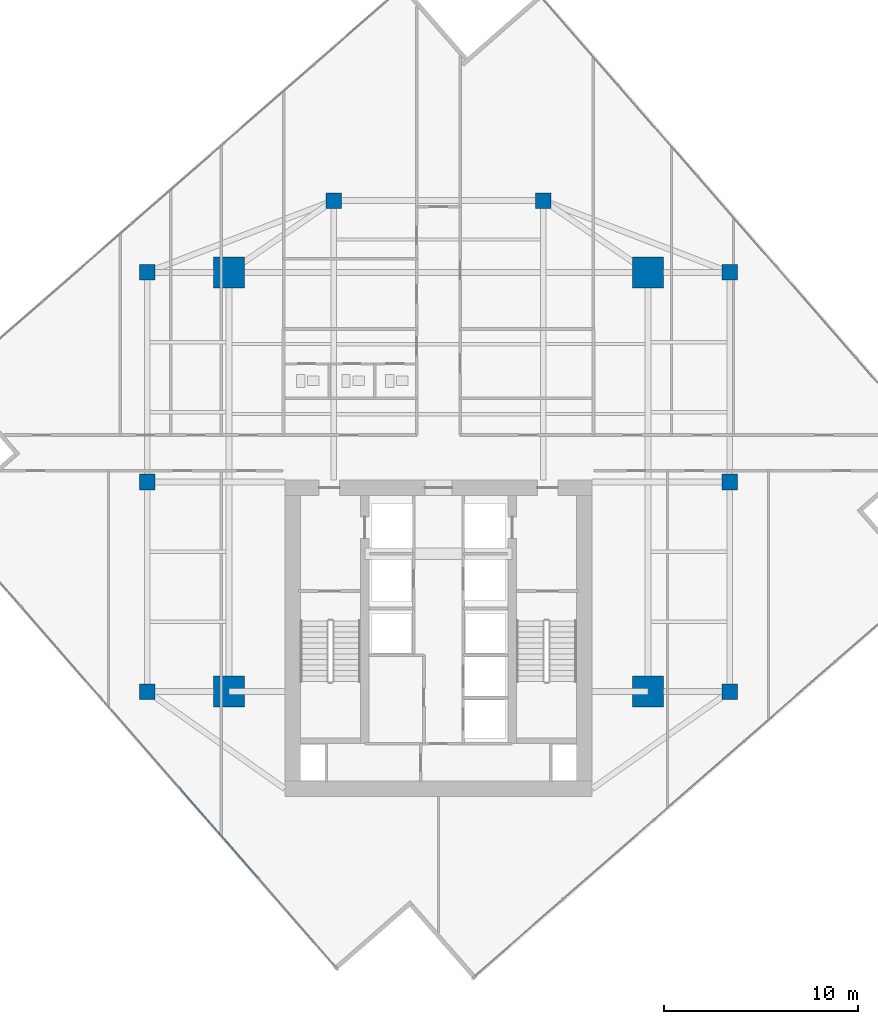
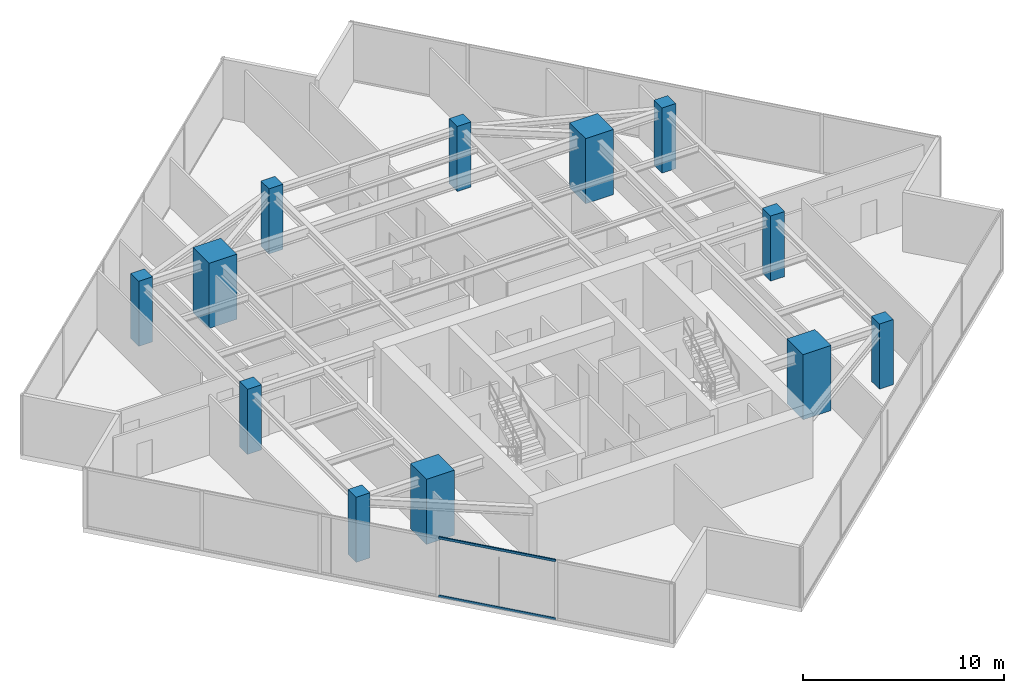
# One storey, part 1 of 24: 12 columns, 2 members, 1 element without a shape of its own.
"""IFC4 building model written with IfcOpenShell, lengths in metres."""

from ifc_helpers import new_model, si_unit, direction, frame, origin, origin_2d, place, context, subcontext, project, spatial, rectangle, hollow_rectangle, extrude, source, transform, mapped, material, material_profile, profile_set, type_object, type_shapes, element, aggregate, save


model = new_model("IFC4")

# Units and contexts
model_context = context("Model", 3, precision=1e-05, world=origin(), true_north=direction((0.0, 1.0)))
body_context = subcontext(model_context, "Body", "Model", "MODEL_VIEW")
ifc_project = project(units=[si_unit("LENGTHUNIT", "METRE"), si_unit("AREAUNIT", "SQUARE_METRE"), si_unit("VOLUMEUNIT", "CUBIC_METRE"), si_unit("PLANEANGLEUNIT", "RADIAN"), si_unit("MASSUNIT", "GRAM", prefix="KILO")], contexts=[model_context])

# Site, building, storey
site_placement = place(None, origin())
site = spatial("IfcSite", under=ifc_project, at=site_placement, CompositionType="ELEMENT")
building_placement = place(site_placement, origin())
building = spatial("IfcBuilding", under=site, at=building_placement, Name="Krantzveldt Concourse Tower", CompositionType="ELEMENT")
storey_placement = place(building_placement, frame((0.0, 0.0, 258.64990234375)))
storey = spatial("IfcBuildingStorey", under=building, at=storey_placement, Name="L63", CompositionType="ELEMENT", Elevation=258.64990234375)

# Columns
ifc_material_1 = material(Name="Concrete C50/60", Category="concrete")
ifc_material_profile_1 = material_profile(ifc_material_1, rectangle(XDim=1.60009765625, YDim=1.60009765625, at=origin_2d()), Name="Concrete C50/60", Category="concrete")
ifc_profile_set_1 = profile_set([ifc_material_profile_1], Name="Concrete C50/60 - RC 1600x1600")
column_type_1 = type_object("IfcColumnType", Name="COL-MC-1600", PredefinedType="USERDEFINED", material=ifc_profile_set_1)
shared_shape_1 = source(origin(), body_context, "Body", "SweptSolid", [
    extrude(rectangle(XDim=1.60009765625, YDim=1.60009765625, at=origin_2d()), origin(), (0.0, 0.0, 1.0), 3.9501953125),
])
type_shapes(column_type_1, [shared_shape_1])
for number, where, z_axis, x_axis, name in (
    (1, (25.199951171875, 15.89990234375, 0.0), (0.0, 0.0, 1.0), (1.0, 0.0, 0.0), "MC-SW-L63"),
    (2, (46.800048828125, 15.89990234375, 0.0), (0.0, 0.0, 1.0), (1.0, 0.0, 0.0), "MC-SE-L63"),
    (3, (46.800048828125, 37.5, 0.0), (0.0, 0.0, 1.0), (1.0, 0.0, 0.0), "MC-NE-L63"),
    (4, (25.199951171875, 37.5, 0.0), (0.0, 0.0, 1.0), (1.0, 0.0, 0.0), "MC-NW-L63"),
):
    element("IfcColumn", number, at=place(storey_placement, frame(where, z_axis=z_axis, x_axis=x_axis)), inside=storey, type_object=column_type_1, Name=name, ObjectType="MEGA COLUMN", PredefinedType="USERDEFINED", context=body_context, shape_type="MappedRepresentation", body=[
        mapped(shared_shape_1, transform((0.0, 0.0, 0.0), x_axis=(1.0, 0.0, 0.0), y_axis=(0.0, 1.0, 0.0), z_axis=(0.0, 0.0, 1.0), scale=1.0)),
    ])
ifc_material_profile_2 = material_profile(ifc_material_1, rectangle(XDim=0.800048828125, YDim=0.800048828125, at=origin_2d()), Name="Concrete C50/60", Category="concrete")
ifc_profile_set_2 = profile_set([ifc_material_profile_2], Name="Concrete C50/60 - RC 800x800")
column_type_2 = type_object("IfcColumnType", Name="COL-C-Z4", PredefinedType="COLUMN", material=ifc_profile_set_2)
shared_shape_2 = source(origin(), body_context, "Body", "SweptSolid", [
    extrude(rectangle(XDim=0.800048828125, YDim=0.800048828125, at=origin_2d()), origin(), (0.0, 0.0, 1.0), 3.9501953125),
])
type_shapes(column_type_2, [shared_shape_2])
for number, where, z_axis, x_axis, name in (
    (5, (21.0, 15.89990234375, 0.0), (0.0, 0.0, 1.0), (1.0, 0.0, 0.0), "PC-R01-L63"),
    (6, (21.0, 26.699951171875, 0.0), (0.0, 0.0, 1.0), (1.0, 0.0, 0.0), "PC-R02-L63"),
    (7, (21.0, 37.5, 0.0), (0.0, 0.0, 1.0), (1.0, 0.0, 0.0), "PC-R03-L63"),
    (8, (30.60009765625, 41.199951171875, 0.0), (0.0, 0.0, 1.0), (1.0, 0.0, 0.0), "PC-R04-L63"),
    (9, (41.39990234375, 41.199951171875, 0.0), (0.0, 0.0, 1.0), (1.0, 0.0, 0.0), "PC-R05-L63"),
    (10, (51.0, 37.5, 0.0), (0.0, 0.0, 1.0), (1.0, 0.0, 0.0), "PC-R06-L63"),
    (11, (51.0, 26.699951171875, 0.0), (0.0, 0.0, 1.0), (1.0, 0.0, 0.0), "PC-R07-L63"),
    (12, (51.0, 15.89990234375, 0.0), (0.0, 0.0, 1.0), (1.0, 0.0, 0.0), "PC-R08-L63"),
):
    element("IfcColumn", number, at=place(storey_placement, frame(where, z_axis=z_axis, x_axis=x_axis)), inside=storey, type_object=column_type_2, Name=name, PredefinedType="COLUMN", context=body_context, shape_type="MappedRepresentation", body=[
        mapped(shared_shape_2, transform((0.0, 0.0, 0.0), x_axis=(1.0, 0.0, 0.0), y_axis=(0.0, 1.0, 0.0), z_axis=(0.0, 0.0, 1.0), scale=1.0)),
    ])

# Curtain wall, members
ifc_material_2 = material(Name="Anodised aluminium 6063-T6", Category="aluminium")
curtain_wall_type = type_object("IfcCurtainWallType", Name="CW3", PredefinedType="USERDEFINED", material=ifc_material_2)
curtain_wall_placement = place(storey_placement, origin())
curtain_wall = element("IfcCurtainWall", 13, at=curtain_wall_placement, inside=storey, type_object=curtain_wall_type, Name="CW-L63-F04", ObjectType="UNITISED CURTAIN WALL", PredefinedType="USERDEFINED")
ifc_material_profile_3 = material_profile(ifc_material_2, hollow_rectangle(XDim=0.070068359375, YDim=0.139892578125, WallThickness=0.0048828125, at=origin_2d()), Name="Anodised aluminium 6063-T6", Category="aluminium")
ifc_profile_set_3 = profile_set([ifc_material_profile_3], Name="Anodised aluminium 6063-T6 - ALU-TRAN 140x70x5")
member_type = type_object("IfcMemberType", Name="CW-TRN-150", PredefinedType="USERDEFINED", material=ifc_profile_set_3)
shared_shape_3 = source(origin(), body_context, "Body", "SweptSolid", [
    extrude(hollow_rectangle(XDim=0.070068359375, YDim=0.139892578125, WallThickness=0.0048828125, at=origin_2d()), origin(), (0.0, 0.0, 1.0), 6.130126953125),
])
type_shapes(member_type, [shared_shape_3])
member_1_placement = place(storey_placement, frame((22.6875, 10.914794921875, 0.03515625), z_axis=(0.657697827635, -0.753281864593, 0.0), x_axis=(0.753281864593, 0.657697827635, 0.0)))
member_1 = element("IfcMember", 14, at=member_1_placement, type_object=member_type, Name="CW-Z34 transom 4.1", ObjectType="TRANSOM", PredefinedType="USERDEFINED", context=body_context, shape_type="MappedRepresentation", body=[
    mapped(shared_shape_3, transform((0.0, 0.0, 0.0), x_axis=(1.0, 0.0, 0.0), y_axis=(0.0, 1.0, 0.0), z_axis=(0.0, 0.0, 1.0), scale=1.0)),
])
member_2_placement = place(storey_placement, frame((22.6875, 10.914794921875, 3.565185546875), z_axis=(0.657697827635, -0.753281864593, 0.0), x_axis=(0.753281864593, 0.657697827635, 0.0)))
member_2 = element("IfcMember", 15, at=member_2_placement, type_object=member_type, Name="CW-Z34 transom 4.2", ObjectType="TRANSOM", PredefinedType="USERDEFINED", context=body_context, shape_type="MappedRepresentation", body=[
    mapped(shared_shape_3, transform((0.0, 0.0, 0.0), x_axis=(1.0, 0.0, 0.0), y_axis=(0.0, 1.0, 0.0), z_axis=(0.0, 0.0, 1.0), scale=1.0)),
])
aggregate(curtain_wall, [member_1, member_2])

save(model, "model.ifc")
